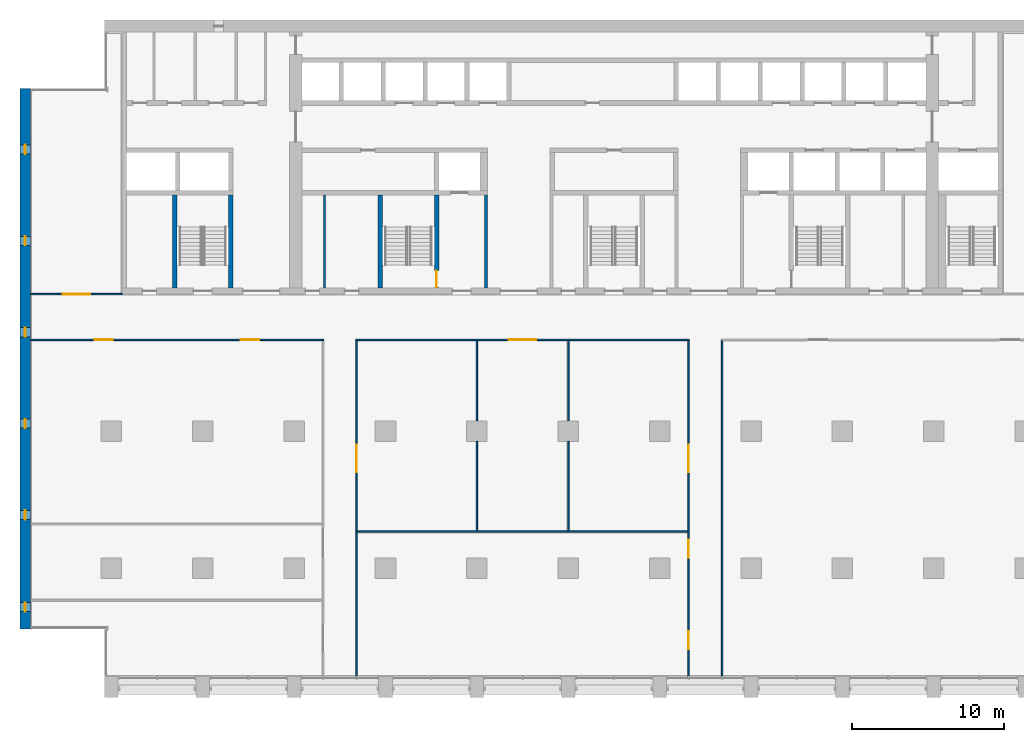
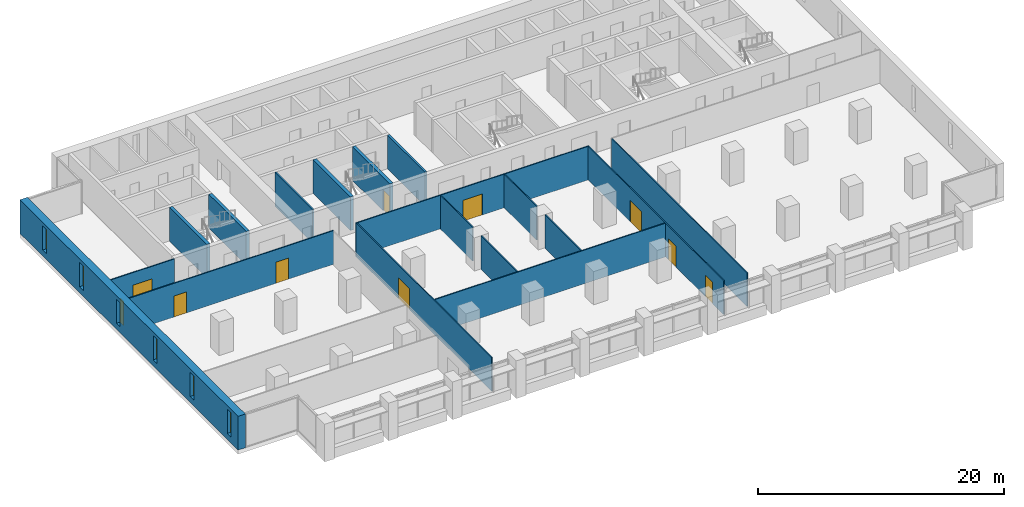
# One storey, part 8 of 15: 18 walls, 9 doors, 6 windows, 15 openings.
"""IFC4 building model written with IfcOpenShell, lengths in metres."""

from ifc_helpers import new_model, si_unit, direction, frame, frame_2d, origin, place, context, subcontext, project, spatial, rectangle, extrude, material, layer, layer_set, type_object, element, fill, save


model = new_model("IFC4")

# Units and contexts
model_context = context("Model", 3, precision=1e-05, world=origin(), true_north=direction((0.0, 1.0)))
body_context = subcontext(model_context, "Body", "Model", "MODEL_VIEW")
ifc_project = project(units=[si_unit("LENGTHUNIT", "METRE"), si_unit("AREAUNIT", "SQUARE_METRE"), si_unit("VOLUMEUNIT", "CUBIC_METRE"), si_unit("PLANEANGLEUNIT", "RADIAN"), si_unit("MASSUNIT", "GRAM", prefix="KILO")], contexts=[model_context])

# Site, building, storey
site_placement = place(None, origin())
site = spatial("IfcSite", under=ifc_project, at=site_placement, CompositionType="ELEMENT")
building_placement = place(site_placement, origin())
building = spatial("IfcBuilding", under=site, at=building_placement, Name="Calvaro Tower", CompositionType="ELEMENT")
storey_placement = place(building_placement, frame((0.0, 0.0, 121.25)))
storey = spatial("IfcBuildingStorey", under=building, at=storey_placement, Name="L30", CompositionType="ELEMENT", Elevation=121.25)

# Walls
ifc_material_1 = material(Name="Blockwork partition", Category="masonry")
ifc_layer_1 = layer(ifc_material_1, 0.14990234375)
ifc_layer_set_1 = layer_set([ifc_layer_1], Name="Blockwork partition")
wall_type_1 = type_object("IfcWallType", Name="Core partition 150 REI 120", PredefinedType="PARTITIONING", material=ifc_layer_set_1)
wall_1_placement = place(storey_placement, frame((20.0, 28.39990234375, 0.0), z_axis=(0.0, 0.0, 1.0), x_axis=(0.0, 1.0, 0.0)))
element("IfcWall", 1, at=wall_1_placement, inside=storey, type_object=wall_type_1, Name="Core partition", PredefinedType="PARTITIONING", context=body_context, shape_type="SweptSolid", body=[
    extrude(rectangle(XDim=6.10009765625, YDim=0.14990234375, at=frame_2d((3.050048828125, 0.0))), origin(), (0.0, 0.0, 1.0), 3.35009765625),
])
ifc_material_2 = material(Name="Blockwork partition", Category="masonry")
ifc_layer_2 = layer(ifc_material_2, 0.199951171875)
ifc_layer_set_2 = layer_set([ifc_layer_2], Name="Blockwork partition")
wall_type_2 = type_object("IfcWallType", Name="Core partition 200 REI 120", PredefinedType="PARTITIONING", material=ifc_layer_set_2)
wall_2_placement = place(storey_placement, frame((30.60009765625, 28.39990234375, 0.0), z_axis=(0.0, 0.0, 1.0), x_axis=(0.0, 1.0, 0.0)))
element("IfcWall", 2, at=wall_2_placement, inside=storey, type_object=wall_type_2, Name="Core partition", PredefinedType="PARTITIONING", context=body_context, shape_type="SweptSolid", body=[
    extrude(rectangle(XDim=6.10009765625, YDim=0.199951171875, at=frame_2d((3.050048828125, 0.0))), origin(), (0.0, 0.0, 1.0), 3.35009765625),
])
ifc_material_3 = material(Name="Concrete C60/75", Category="concrete")
ifc_layer_3 = layer(ifc_material_3, 0.300048828125)
ifc_layer_set_3 = layer_set([ifc_layer_3], Name="Concrete C60/75")
wall_type_3 = type_object("IfcWallType", Name="Core wall C60/75 300", PredefinedType="SHEAR", material=ifc_layer_set_3)
for number, where, z_axis, x_axis, name in (
    (3, (10.14990234375, 28.39990234375, 0.0), (0.0, 0.0, 1.0), (0.0, 1.0, 0.0), "Core wall, stair enclosure"),
    (4, (13.85009765625, 28.39990234375, 0.0), (0.0, 0.0, 1.0), (0.0, 1.0, 0.0), "Core wall, stair enclosure"),
    (5, (23.64990234375, 28.39990234375, 0.0), (0.0, 0.0, 1.0), (0.0, 1.0, 0.0), "Core wall, stair enclosure"),
):
    element("IfcWall", number, at=place(storey_placement, frame(where, z_axis=z_axis, x_axis=x_axis)), inside=storey, type_object=wall_type_3, Name=name, PredefinedType="SHEAR", context=body_context, shape_type="SweptSolid", body=[
        extrude(rectangle(XDim=6.10009765625, YDim=0.300048828125, at=frame_2d((3.050048828125, 0.0))), origin(), (0.0, 0.0, 1.0), 3.35009765625),
    ])

# Wall, opening, door
wall_3_placement = place(storey_placement, frame((27.35009765625, 28.39990234375, 0.0), z_axis=(0.0, 0.0, 1.0), x_axis=(0.0, 1.0, 0.0)))
wall_3 = element("IfcWall", 6, at=wall_3_placement, inside=storey, type_object=wall_type_3, Name="Core wall, stair enclosure", PredefinedType="SHEAR", context=body_context, shape_type="SweptSolid", body=[
    extrude(rectangle(XDim=6.10009765625, YDim=0.300048828125, at=frame_2d((3.050048828125, 0.0))), origin(), (0.0, 0.0, 1.0), 3.35009765625),
])
opening_1_placement = place(wall_3_placement, frame((0.050048828125, 0.0, 0.0)))
opening_1 = element("IfcOpeningElement", 7, at=opening_1_placement, cuts=wall_3, Name="Opening FD11D", PredefinedType="OPENING", context=body_context, shape_type="SweptSolid", body=[
    extrude(rectangle(XDim=1.10009765625, YDim=2.10009765625, at=frame_2d((0.550048828125, 1.050048828125))), frame((0.0, 0.159912109375, 0.0), z_axis=(0.0, -1.0, 0.0), x_axis=(1.0, 0.0, 0.0)), (0.0, 0.0, 1.0), 0.320068359375),
])
ifc_material_4 = material(Name="Steel door set", Category="steel")
door_type_1 = type_object("IfcDoorType", Name="Fire door 1100 FD30S", OperationType="SINGLE_SWING_LEFT", PredefinedType="DOOR", material=ifc_material_4)
door_1_placement = place(opening_1_placement, origin())
door_1 = element("IfcDoor", 8, at=door_1_placement, inside=storey, type_object=door_type_1, Name="Fire door", OperationType="SINGLE_SWING_LEFT", OverallHeight=2.10009765625, OverallWidth=1.10009765625, PredefinedType="DOOR", context=body_context, shape_type="SweptSolid", body=[
    extrude(rectangle(XDim=1.10009765625, YDim=2.10009765625, at=frame_2d((0.550048828125, 1.050048828125))), frame((0.0, 0.02490234375, 0.0), z_axis=(0.0, -1.0, 0.0), x_axis=(1.0, 0.0, 0.0)), (0.0, 0.0, 1.0), 0.050048828125),
])
fill(opening_1, door_1)

# Wall, openings, windows
ifc_material_5 = material(Name="Concrete C60/75", Category="concrete")
ifc_layer_4 = layer(ifc_material_5, 0.699951171875)
ifc_layer_set_4 = layer_set([ifc_layer_4], Name="Concrete C60/75")
wall_type_4 = type_object("IfcWallType", Name="End wall 700 C60/75", PredefinedType="SHEAR", material=ifc_layer_set_4)
wall_4_placement = place(storey_placement, frame((0.35009765625, 6.0, 0.0), z_axis=(0.0, 0.0, 1.0), x_axis=(0.0, 1.0, 0.0)))
wall_4 = element("IfcWall", 9, at=wall_4_placement, inside=storey, type_object=wall_type_4, Name="End shear wall", PredefinedType="SHEAR", context=body_context, shape_type="SweptSolid", body=[
    extrude(rectangle(XDim=35.5, YDim=0.699951171875, at=frame_2d((17.75, 0.0))), origin(), (0.0, 0.0, 1.0), 3.35009765625),
])
opening_2_placement = place(wall_4_placement, frame((1.14990234375, 0.0, 0.60009765625)))
opening_2 = element("IfcOpeningElement", 10, at=opening_2_placement, cuts=wall_4, Name="Opening WW01", PredefinedType="OPENING", context=body_context, shape_type="SweptSolid", body=[
    extrude(rectangle(XDim=0.60009765625, YDim=2.39990234375, at=frame_2d((0.300048828125, 1.199951171875))), frame((0.0, 0.35986328125, 0.0), z_axis=(0.0, -1.0, 0.0), x_axis=(1.0, 0.0, 0.0)), (0.0, 0.0, 1.0), 0.719970703125),
])
opening_3_placement = place(wall_4_placement, frame((7.199951171875, 0.0, 0.60009765625)))
opening_3 = element("IfcOpeningElement", 11, at=opening_3_placement, cuts=wall_4, Name="Opening WW02", PredefinedType="OPENING", context=body_context, shape_type="SweptSolid", body=[
    extrude(rectangle(XDim=0.60009765625, YDim=2.39990234375, at=frame_2d((0.300048828125, 1.199951171875))), frame((0.0, 0.35986328125, 0.0), z_axis=(0.0, -1.0, 0.0), x_axis=(1.0, 0.0, 0.0)), (0.0, 0.0, 1.0), 0.719970703125),
])
opening_4_placement = place(wall_4_placement, frame((13.199951171875, 0.0, 0.60009765625)))
opening_4 = element("IfcOpeningElement", 12, at=opening_4_placement, cuts=wall_4, Name="Opening WW03", PredefinedType="OPENING", context=body_context, shape_type="SweptSolid", body=[
    extrude(rectangle(XDim=0.60009765625, YDim=2.39990234375, at=frame_2d((0.300048828125, 1.199951171875))), frame((0.0, 0.35986328125, 0.0), z_axis=(0.0, -1.0, 0.0), x_axis=(1.0, 0.0, 0.0)), (0.0, 0.0, 1.0), 0.719970703125),
])
opening_5_placement = place(wall_4_placement, frame((19.199951171875, 0.0, 0.60009765625)))
opening_5 = element("IfcOpeningElement", 13, at=opening_5_placement, cuts=wall_4, Name="Opening WW04", PredefinedType="OPENING", context=body_context, shape_type="SweptSolid", body=[
    extrude(rectangle(XDim=0.60009765625, YDim=2.39990234375, at=frame_2d((0.300048828125, 1.199951171875))), frame((0.0, 0.35986328125, 0.0), z_axis=(0.0, -1.0, 0.0), x_axis=(1.0, 0.0, 0.0)), (0.0, 0.0, 1.0), 0.719970703125),
])
opening_6_placement = place(wall_4_placement, frame((25.199951171875, 0.0, 0.60009765625)))
opening_6 = element("IfcOpeningElement", 14, at=opening_6_placement, cuts=wall_4, Name="Opening WW05", PredefinedType="OPENING", context=body_context, shape_type="SweptSolid", body=[
    extrude(rectangle(XDim=0.60009765625, YDim=2.39990234375, at=frame_2d((0.300048828125, 1.199951171875))), frame((0.0, 0.35986328125, 0.0), z_axis=(0.0, -1.0, 0.0), x_axis=(1.0, 0.0, 0.0)), (0.0, 0.0, 1.0), 0.719970703125),
])
opening_7_placement = place(wall_4_placement, frame((31.199951171875, 0.0, 0.60009765625)))
opening_7 = element("IfcOpeningElement", 15, at=opening_7_placement, cuts=wall_4, Name="Opening WW06", PredefinedType="OPENING", context=body_context, shape_type="SweptSolid", body=[
    extrude(rectangle(XDim=0.60009765625, YDim=2.39990234375, at=frame_2d((0.300048828125, 1.199951171875))), frame((0.0, 0.35986328125, 0.0), z_axis=(0.0, -1.0, 0.0), x_axis=(1.0, 0.0, 0.0)), (0.0, 0.0, 1.0), 0.719970703125),
])
ifc_material_6 = material(Name="Glass", Category="glass")
window_type = type_object("IfcWindowType", Name="Slit window 600 x 2400", PartitioningType="SINGLE_PANEL", PredefinedType="WINDOW", material=ifc_material_6)
window_1_placement = place(opening_2_placement, origin())
window_1 = element("IfcWindow", 16, at=window_1_placement, inside=storey, type_object=window_type, Name="Window WW01", OverallHeight=2.39990234375, OverallWidth=0.60009765625, PartitioningType="SINGLE_PANEL", PredefinedType="WINDOW", context=body_context, shape_type="SweptSolid", body=[
    extrude(rectangle(XDim=0.60009765625, YDim=2.39990234375, at=frame_2d((0.300048828125, 1.199951171875))), frame((0.0, 0.030029296875, 0.0), z_axis=(0.0, -1.0, 0.0), x_axis=(1.0, 0.0, 0.0)), (0.0, 0.0, 1.0), 0.06005859375),
])
fill(opening_2, window_1)
window_2_placement = place(opening_3_placement, origin())
window_2 = element("IfcWindow", 17, at=window_2_placement, inside=storey, type_object=window_type, Name="Window WW02", OverallHeight=2.39990234375, OverallWidth=0.60009765625, PartitioningType="SINGLE_PANEL", PredefinedType="WINDOW", context=body_context, shape_type="SweptSolid", body=[
    extrude(rectangle(XDim=0.60009765625, YDim=2.39990234375, at=frame_2d((0.300048828125, 1.199951171875))), frame((0.0, 0.030029296875, 0.0), z_axis=(0.0, -1.0, 0.0), x_axis=(1.0, 0.0, 0.0)), (0.0, 0.0, 1.0), 0.06005859375),
])
fill(opening_3, window_2)
window_3_placement = place(opening_4_placement, origin())
window_3 = element("IfcWindow", 18, at=window_3_placement, inside=storey, type_object=window_type, Name="Window WW03", OverallHeight=2.39990234375, OverallWidth=0.60009765625, PartitioningType="SINGLE_PANEL", PredefinedType="WINDOW", context=body_context, shape_type="SweptSolid", body=[
    extrude(rectangle(XDim=0.60009765625, YDim=2.39990234375, at=frame_2d((0.300048828125, 1.199951171875))), frame((0.0, 0.030029296875, 0.0), z_axis=(0.0, -1.0, 0.0), x_axis=(1.0, 0.0, 0.0)), (0.0, 0.0, 1.0), 0.06005859375),
])
fill(opening_4, window_3)
window_4_placement = place(opening_5_placement, origin())
window_4 = element("IfcWindow", 19, at=window_4_placement, inside=storey, type_object=window_type, Name="Window WW04", OverallHeight=2.39990234375, OverallWidth=0.60009765625, PartitioningType="SINGLE_PANEL", PredefinedType="WINDOW", context=body_context, shape_type="SweptSolid", body=[
    extrude(rectangle(XDim=0.60009765625, YDim=2.39990234375, at=frame_2d((0.300048828125, 1.199951171875))), frame((0.0, 0.030029296875, 0.0), z_axis=(0.0, -1.0, 0.0), x_axis=(1.0, 0.0, 0.0)), (0.0, 0.0, 1.0), 0.06005859375),
])
fill(opening_5, window_4)
window_5_placement = place(opening_6_placement, origin())
window_5 = element("IfcWindow", 20, at=window_5_placement, inside=storey, type_object=window_type, Name="Window WW05", OverallHeight=2.39990234375, OverallWidth=0.60009765625, PartitioningType="SINGLE_PANEL", PredefinedType="WINDOW", context=body_context, shape_type="SweptSolid", body=[
    extrude(rectangle(XDim=0.60009765625, YDim=2.39990234375, at=frame_2d((0.300048828125, 1.199951171875))), frame((0.0, 0.030029296875, 0.0), z_axis=(0.0, -1.0, 0.0), x_axis=(1.0, 0.0, 0.0)), (0.0, 0.0, 1.0), 0.06005859375),
])
fill(opening_6, window_5)
window_6_placement = place(opening_7_placement, origin())
window_6 = element("IfcWindow", 21, at=window_6_placement, inside=storey, type_object=window_type, Name="Window WW06", OverallHeight=2.39990234375, OverallWidth=0.60009765625, PartitioningType="SINGLE_PANEL", PredefinedType="WINDOW", context=body_context, shape_type="SweptSolid", body=[
    extrude(rectangle(XDim=0.60009765625, YDim=2.39990234375, at=frame_2d((0.300048828125, 1.199951171875))), frame((0.0, 0.030029296875, 0.0), z_axis=(0.0, -1.0, 0.0), x_axis=(1.0, 0.0, 0.0)), (0.0, 0.0, 1.0), 0.06005859375),
])
fill(opening_7, window_6)

# Wall
ifc_material_7 = material(Name="Plasterboard on steel studs", Category="steel")
ifc_layer_5 = layer(ifc_material_7, 0.10009765625)
ifc_layer_set_5 = layer_set([ifc_layer_5], Name="Plasterboard on steel studs")
wall_type_5 = type_object("IfcWallType", Name="Partition 100", PredefinedType="PARTITIONING", material=ifc_layer_set_5)
wall_5_placement = place(storey_placement, frame((22.14990234375, 12.39990234375, 0.0), z_axis=(0.0, 0.0, 1.0), x_axis=(1.0, 0.0, 0.0)))
element("IfcWall", 22, at=wall_5_placement, inside=storey, type_object=wall_type_5, Name="Partition T19.W002", PredefinedType="PARTITIONING", context=body_context, shape_type="SweptSolid", body=[
    extrude(rectangle(XDim=21.7001953125, YDim=0.10009765625, at=frame_2d((10.85009765625, 0.0))), origin(), (0.0, 0.0, 1.0), 3.35009765625),
])

# Wall, openings, doors
wall_6_placement = place(storey_placement, frame((0.699951171875, 25.0, 0.0), z_axis=(0.0, 0.0, 1.0), x_axis=(1.0, 0.0, 0.0)))
wall_6 = element("IfcWall", 23, at=wall_6_placement, inside=storey, type_object=wall_type_5, Name="Partition T19.W004", PredefinedType="PARTITIONING", context=body_context, shape_type="SweptSolid", body=[
    extrude(rectangle(XDim=19.25, YDim=0.10009765625, at=frame_2d((9.625, 0.0))), origin(), (0.0, 0.0, 1.0), 3.35009765625),
])
opening_8_placement = place(wall_6_placement, frame((4.199951171875, 0.0, 0.0)))
opening_8 = element("IfcOpeningElement", 24, at=opening_8_placement, cuts=wall_6, Name="Opening T19.010", PredefinedType="OPENING", context=body_context, shape_type="SweptSolid", body=[
    extrude(rectangle(XDim=1.199951171875, YDim=2.10009765625, at=frame_2d((0.60009765625, 1.050048828125))), frame((0.0, 0.06005859375, 0.0), z_axis=(0.0, -1.0, 0.0), x_axis=(1.0, 0.0, 0.0)), (0.0, 0.0, 1.0), 0.1201171875),
])
opening_9_placement = place(wall_6_placement, frame((13.800048828125, 0.0, 0.0)))
opening_9 = element("IfcOpeningElement", 25, at=opening_9_placement, cuts=wall_6, Name="Opening T19.011", PredefinedType="OPENING", context=body_context, shape_type="SweptSolid", body=[
    extrude(rectangle(XDim=1.199951171875, YDim=2.10009765625, at=frame_2d((0.60009765625, 1.050048828125))), frame((0.0, 0.06005859375, 0.0), z_axis=(0.0, -1.0, 0.0), x_axis=(1.0, 0.0, 0.0)), (0.0, 0.0, 1.0), 0.1201171875),
])
ifc_material_8 = material(Name="Timber", Category="wood")
door_type_2 = type_object("IfcDoorType", Name="Internal single door 1200 x 2100", OperationType="SINGLE_SWING_LEFT", PredefinedType="DOOR", material=ifc_material_8)
door_2_placement = place(opening_8_placement, origin())
door_2 = element("IfcDoor", 26, at=door_2_placement, inside=storey, type_object=door_type_2, Name="Door T19.010", OperationType="SINGLE_SWING_LEFT", OverallHeight=2.10009765625, OverallWidth=1.199951171875, PredefinedType="DOOR", context=body_context, shape_type="SweptSolid", body=[
    extrude(rectangle(XDim=1.199951171875, YDim=2.10009765625, at=frame_2d((0.60009765625, 1.050048828125))), frame((0.0, 0.02490234375, 0.0), z_axis=(0.0, -1.0, 0.0), x_axis=(1.0, 0.0, 0.0)), (0.0, 0.0, 1.0), 0.050048828125),
])
fill(opening_8, door_2)
door_3_placement = place(opening_9_placement, origin())
door_3 = element("IfcDoor", 27, at=door_3_placement, inside=storey, type_object=door_type_2, Name="Door T19.011", OperationType="SINGLE_SWING_RIGHT", OverallHeight=2.10009765625, OverallWidth=1.199951171875, PredefinedType="DOOR", context=body_context, shape_type="SweptSolid", body=[
    extrude(rectangle(XDim=1.199951171875, YDim=2.10009765625, at=frame_2d((0.60009765625, 1.050048828125))), frame((0.0, 0.02490234375, 0.0), z_axis=(0.0, -1.0, 0.0), x_axis=(1.0, 0.0, 0.0)), (0.0, 0.0, 1.0), 0.050048828125),
])
fill(opening_9, door_3)

# Wall, opening, door
wall_7_placement = place(storey_placement, frame((22.050048828125, 25.0, 0.0), z_axis=(0.0, 0.0, 1.0), x_axis=(1.0, 0.0, 0.0)))
wall_7 = element("IfcWall", 28, at=wall_7_placement, inside=storey, type_object=wall_type_5, Name="Partition T19.W005", PredefinedType="PARTITIONING", context=body_context, shape_type="SweptSolid", body=[
    extrude(rectangle(XDim=21.89990234375, YDim=0.10009765625, at=frame_2d((10.949951171875, 0.0))), origin(), (0.0, 0.0, 1.0), 3.35009765625),
])
opening_10_placement = place(wall_7_placement, frame((10.050048828125, 0.0, 0.0)))
opening_10 = element("IfcOpeningElement", 29, at=opening_10_placement, cuts=wall_7, Name="Opening T19.008", PredefinedType="OPENING", context=body_context, shape_type="SweptSolid", body=[
    extrude(rectangle(XDim=1.800048828125, YDim=2.10009765625, at=frame_2d((0.89990234375, 1.050048828125))), frame((0.0, 0.06005859375, 0.0), z_axis=(0.0, -1.0, 0.0), x_axis=(1.0, 0.0, 0.0)), (0.0, 0.0, 1.0), 0.1201171875),
])
ifc_material_9 = material(Name="Timber", Category="wood")
door_type_3 = type_object("IfcDoorType", Name="Internal double door 1800 x 2100", OperationType="DOUBLE_DOOR_SINGLE_SWING", PredefinedType="DOOR", material=ifc_material_9)
door_4_placement = place(opening_10_placement, origin())
door_4 = element("IfcDoor", 30, at=door_4_placement, inside=storey, type_object=door_type_3, Name="Door T19.008", OperationType="DOUBLE_DOOR_SINGLE_SWING", OverallHeight=2.10009765625, OverallWidth=1.800048828125, PredefinedType="DOOR", context=body_context, shape_type="SweptSolid", body=[
    extrude(rectangle(XDim=1.800048828125, YDim=2.10009765625, at=frame_2d((0.89990234375, 1.050048828125))), frame((0.0, 0.02490234375, 0.0), z_axis=(0.0, -1.0, 0.0), x_axis=(1.0, 0.0, 0.0)), (0.0, 0.0, 1.0), 0.050048828125),
])
fill(opening_10, door_4)

wall_8_placement = place(storey_placement, frame((0.699951171875, 28.0, 0.0), z_axis=(0.0, 0.0, 1.0), x_axis=(1.0, 0.0, 0.0)))
wall_8 = element("IfcWall", 31, at=wall_8_placement, inside=storey, type_object=wall_type_5, Name="Partition T19.W007", PredefinedType="PARTITIONING", context=body_context, shape_type="SweptSolid", body=[
    extrude(rectangle(XDim=6.0, YDim=0.10009765625, at=frame_2d((3.0, 0.0))), origin(), (0.0, 0.0, 1.0), 3.35009765625),
])
opening_11_placement = place(wall_8_placement, frame((2.10009765625, 0.0, 0.0)))
opening_11 = element("IfcOpeningElement", 32, at=opening_11_placement, cuts=wall_8, Name="Opening T19.012", PredefinedType="OPENING", context=body_context, shape_type="SweptSolid", body=[
    extrude(rectangle(XDim=1.800048828125, YDim=2.10009765625, at=frame_2d((0.89990234375, 1.050048828125))), frame((0.0, 0.06005859375, 0.0), z_axis=(0.0, -1.0, 0.0), x_axis=(1.0, 0.0, 0.0)), (0.0, 0.0, 1.0), 0.1201171875),
])
door_5_placement = place(opening_11_placement, origin())
door_5 = element("IfcDoor", 33, at=door_5_placement, inside=storey, type_object=door_type_3, Name="Door T19.012", OperationType="DOUBLE_DOOR_SINGLE_SWING", OverallHeight=2.10009765625, OverallWidth=1.800048828125, PredefinedType="DOOR", context=body_context, shape_type="SweptSolid", body=[
    extrude(rectangle(XDim=1.800048828125, YDim=2.10009765625, at=frame_2d((0.89990234375, 1.050048828125))), frame((0.0, 0.02490234375, 0.0), z_axis=(0.0, -1.0, 0.0), x_axis=(1.0, 0.0, 0.0)), (0.0, 0.0, 1.0), 0.050048828125),
])
fill(opening_11, door_5)

wall_9_placement = place(storey_placement, frame((22.10009765625, 2.89990234375, 0.0), z_axis=(0.0, 0.0, 1.0), x_axis=(0.0, 1.0, 0.0)))
wall_9 = element("IfcWall", 34, at=wall_9_placement, inside=storey, type_object=wall_type_5, Name="Partition T19.W010", PredefinedType="PARTITIONING", context=body_context, shape_type="SweptSolid", body=[
    extrude(rectangle(XDim=22.050048828125, YDim=0.10009765625, at=frame_2d((11.02490234375, 0.0))), origin(), (0.0, 0.0, 1.0), 3.35009765625),
])
opening_12_placement = place(wall_9_placement, frame((13.39990234375, 0.0, 0.0)))
opening_12 = element("IfcOpeningElement", 35, at=opening_12_placement, cuts=wall_9, Name="Opening T19.007", PredefinedType="OPENING", context=body_context, shape_type="SweptSolid", body=[
    extrude(rectangle(XDim=1.800048828125, YDim=2.10009765625, at=frame_2d((0.89990234375, 1.050048828125))), frame((0.0, 0.06005859375, 0.0), z_axis=(0.0, -1.0, 0.0), x_axis=(1.0, 0.0, 0.0)), (0.0, 0.0, 1.0), 0.1201171875),
])
door_6_placement = place(opening_12_placement, origin())
door_6 = element("IfcDoor", 36, at=door_6_placement, inside=storey, type_object=door_type_3, Name="Door T19.007", OperationType="DOUBLE_DOOR_SINGLE_SWING", OverallHeight=2.10009765625, OverallWidth=1.800048828125, PredefinedType="DOOR", context=body_context, shape_type="SweptSolid", body=[
    extrude(rectangle(XDim=1.800048828125, YDim=2.10009765625, at=frame_2d((0.89990234375, 1.050048828125))), frame((0.0, 0.02490234375, 0.0), z_axis=(0.0, -1.0, 0.0), x_axis=(1.0, 0.0, 0.0)), (0.0, 0.0, 1.0), 0.050048828125),
])
fill(opening_12, door_6)

# Walls
wall_10_placement = place(storey_placement, frame((30.0, 12.449951171875, 0.0), z_axis=(0.0, 0.0, 1.0), x_axis=(0.0, 1.0, 0.0)))
element("IfcWall", 37, at=wall_10_placement, inside=storey, type_object=wall_type_5, Name="Partition T19.W011", PredefinedType="PARTITIONING", context=body_context, shape_type="SweptSolid", body=[
    extrude(rectangle(XDim=5.875, YDim=0.10009765625, at=frame_2d((2.9375, 0.0))), origin(), (0.0, 0.0, 1.0), 3.35009765625),
])
wall_11_placement = place(storey_placement, frame((30.0, 19.675048828125, 0.0), z_axis=(0.0, 0.0, 1.0), x_axis=(0.0, 1.0, 0.0)))
element("IfcWall", 38, at=wall_11_placement, inside=storey, type_object=wall_type_5, Name="Partition T19.W012", PredefinedType="PARTITIONING", context=body_context, shape_type="SweptSolid", body=[
    extrude(rectangle(XDim=5.27490234375, YDim=0.10009765625, at=frame_2d((2.637451171875, 0.0))), origin(), (0.0, 0.0, 1.0), 3.35009765625),
])
wall_12_placement = place(storey_placement, frame((36.0, 12.449951171875, 0.0), z_axis=(0.0, 0.0, 1.0), x_axis=(0.0, 1.0, 0.0)))
element("IfcWall", 39, at=wall_12_placement, inside=storey, type_object=wall_type_5, Name="Partition T19.W013", PredefinedType="PARTITIONING", context=body_context, shape_type="SweptSolid", body=[
    extrude(rectangle(XDim=5.875, YDim=0.10009765625, at=frame_2d((2.9375, 0.0))), origin(), (0.0, 0.0, 1.0), 3.35009765625),
])
wall_13_placement = place(storey_placement, frame((36.0, 19.675048828125, 0.0), z_axis=(0.0, 0.0, 1.0), x_axis=(0.0, 1.0, 0.0)))
element("IfcWall", 40, at=wall_13_placement, inside=storey, type_object=wall_type_5, Name="Partition T19.W014", PredefinedType="PARTITIONING", context=body_context, shape_type="SweptSolid", body=[
    extrude(rectangle(XDim=5.27490234375, YDim=0.10009765625, at=frame_2d((2.637451171875, 0.0))), origin(), (0.0, 0.0, 1.0), 3.35009765625),
])

# Wall, openings, doors
wall_14_placement = place(storey_placement, frame((43.89990234375, 2.89990234375, 0.0), z_axis=(0.0, 0.0, 1.0), x_axis=(0.0, 1.0, 0.0)))
wall_14 = element("IfcWall", 41, at=wall_14_placement, inside=storey, type_object=wall_type_5, Name="Partition T19.W015", PredefinedType="PARTITIONING", context=body_context, shape_type="SweptSolid", body=[
    extrude(rectangle(XDim=22.050048828125, YDim=0.10009765625, at=frame_2d((11.02490234375, 0.0))), origin(), (0.0, 0.0, 1.0), 3.35009765625),
])
opening_13_placement = place(wall_14_placement, frame((1.77490234375, 0.0, 0.0)))
opening_13 = element("IfcOpeningElement", 42, at=opening_13_placement, cuts=wall_14, Name="Opening T19.002", PredefinedType="OPENING", context=body_context, shape_type="SweptSolid", body=[
    extrude(rectangle(XDim=1.199951171875, YDim=2.10009765625, at=frame_2d((0.60009765625, 1.050048828125))), frame((0.0, 0.06005859375, 0.0), z_axis=(0.0, -1.0, 0.0), x_axis=(1.0, 0.0, 0.0)), (0.0, 0.0, 1.0), 0.1201171875),
])
opening_14_placement = place(wall_14_placement, frame((7.77490234375, 0.0, 0.0)))
opening_14 = element("IfcOpeningElement", 43, at=opening_14_placement, cuts=wall_14, Name="Opening T19.003", PredefinedType="OPENING", context=body_context, shape_type="SweptSolid", body=[
    extrude(rectangle(XDim=1.199951171875, YDim=2.10009765625, at=frame_2d((0.60009765625, 1.050048828125))), frame((0.0, 0.06005859375, 0.0), z_axis=(0.0, -1.0, 0.0), x_axis=(1.0, 0.0, 0.0)), (0.0, 0.0, 1.0), 0.1201171875),
])
opening_15_placement = place(wall_14_placement, frame((13.39990234375, 0.0, 0.0)))
opening_15 = element("IfcOpeningElement", 44, at=opening_15_placement, cuts=wall_14, Name="Opening T19.009", PredefinedType="OPENING", context=body_context, shape_type="SweptSolid", body=[
    extrude(rectangle(XDim=1.800048828125, YDim=2.10009765625, at=frame_2d((0.89990234375, 1.050048828125))), frame((0.0, 0.06005859375, 0.0), z_axis=(0.0, -1.0, 0.0), x_axis=(1.0, 0.0, 0.0)), (0.0, 0.0, 1.0), 0.1201171875),
])
door_7_placement = place(opening_15_placement, origin())
door_7 = element("IfcDoor", 45, at=door_7_placement, inside=storey, type_object=door_type_3, Name="Door T19.009", OperationType="DOUBLE_DOOR_SINGLE_SWING", OverallHeight=2.10009765625, OverallWidth=1.800048828125, PredefinedType="DOOR", context=body_context, shape_type="SweptSolid", body=[
    extrude(rectangle(XDim=1.800048828125, YDim=2.10009765625, at=frame_2d((0.89990234375, 1.050048828125))), frame((0.0, 0.02490234375, 0.0), z_axis=(0.0, -1.0, 0.0), x_axis=(1.0, 0.0, 0.0)), (0.0, 0.0, 1.0), 0.050048828125),
])
fill(opening_15, door_7)
door_8_placement = place(opening_13_placement, origin())
door_8 = element("IfcDoor", 46, at=door_8_placement, inside=storey, type_object=door_type_2, Name="Door T19.002", OperationType="SINGLE_SWING_LEFT", OverallHeight=2.10009765625, OverallWidth=1.199951171875, PredefinedType="DOOR", context=body_context, shape_type="SweptSolid", body=[
    extrude(rectangle(XDim=1.199951171875, YDim=2.10009765625, at=frame_2d((0.60009765625, 1.050048828125))), frame((0.0, 0.02490234375, 0.0), z_axis=(0.0, -1.0, 0.0), x_axis=(1.0, 0.0, 0.0)), (0.0, 0.0, 1.0), 0.050048828125),
])
fill(opening_13, door_8)
door_9_placement = place(opening_14_placement, origin())
door_9 = element("IfcDoor", 47, at=door_9_placement, inside=storey, type_object=door_type_2, Name="Door T19.003", OperationType="SINGLE_SWING_LEFT", OverallHeight=2.10009765625, OverallWidth=1.199951171875, PredefinedType="DOOR", context=body_context, shape_type="SweptSolid", body=[
    extrude(rectangle(XDim=1.199951171875, YDim=2.10009765625, at=frame_2d((0.60009765625, 1.050048828125))), frame((0.0, 0.02490234375, 0.0), z_axis=(0.0, -1.0, 0.0), x_axis=(1.0, 0.0, 0.0)), (0.0, 0.0, 1.0), 0.050048828125),
])
fill(opening_14, door_9)

# Wall
wall_15_placement = place(storey_placement, frame((46.10009765625, 2.89990234375, 0.0), z_axis=(0.0, 0.0, 1.0), x_axis=(0.0, 1.0, 0.0)))
element("IfcWall", 48, at=wall_15_placement, inside=storey, type_object=wall_type_5, Name="Partition T19.W016", PredefinedType="PARTITIONING", context=body_context, shape_type="SweptSolid", body=[
    extrude(rectangle(XDim=22.050048828125, YDim=0.10009765625, at=frame_2d((11.02490234375, 0.0))), origin(), (0.0, 0.0, 1.0), 3.35009765625),
])

save(model, "model.ifc")
